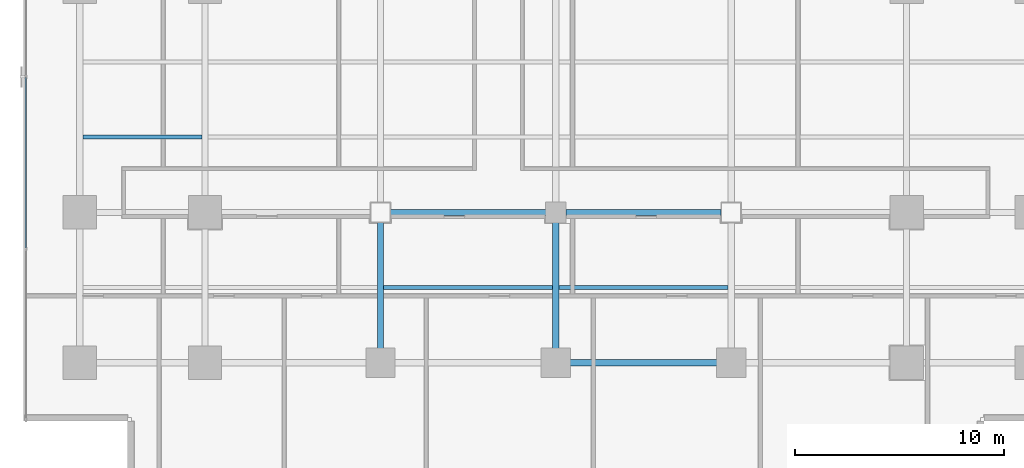
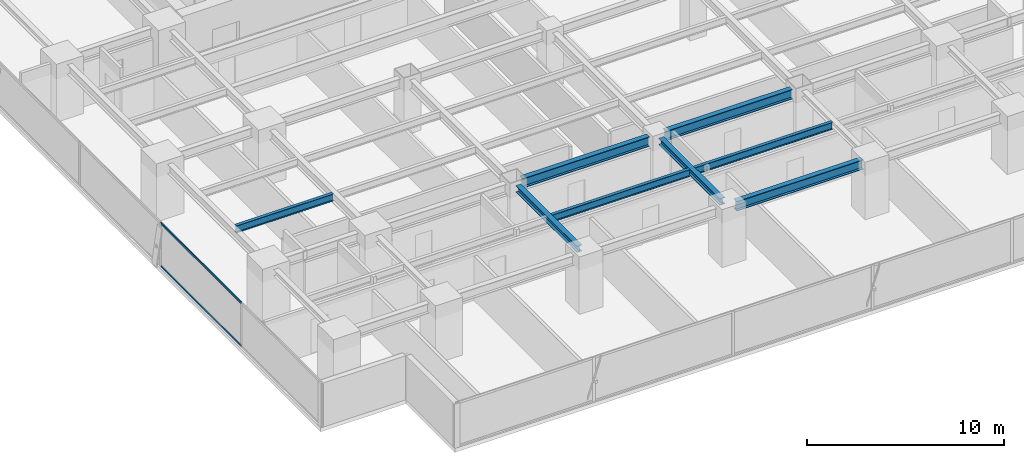
# One storey, part 7 of 36: 8 beams, 2 members, 1 element without a shape of its own.
"""IFC4 building model written with IfcOpenShell, lengths in metres."""

from ifc_helpers import new_model, si_unit, direction, frame, origin, origin_2d, place, context, subcontext, project, spatial, hollow_rectangle, i_section, extrude, source, transform, mapped, material, layer, layer_set, material_profile, profile_set, type_object, element, aggregate, save


model = new_model("IFC4")

# Units and contexts
model_context = context("Model", 3, precision=1e-05, world=origin(), true_north=direction((0.0, 1.0)))
body_context = subcontext(model_context, "Body", "Model", "MODEL_VIEW")
ifc_project = project(units=[si_unit("LENGTHUNIT", "METRE"), si_unit("AREAUNIT", "SQUARE_METRE"), si_unit("VOLUMEUNIT", "CUBIC_METRE"), si_unit("PLANEANGLEUNIT", "RADIAN"), si_unit("MASSUNIT", "GRAM", prefix="KILO")], contexts=[model_context])

# Site, building, storey
site_placement = place(None, origin())
site = spatial("IfcSite", under=ifc_project, at=site_placement, CompositionType="ELEMENT")
building_placement = place(site_placement, origin())
building = spatial("IfcBuilding", under=site, at=building_placement, Name="Sumidabori Civic Tower", CompositionType="ELEMENT")
storey_placement = place(building_placement, frame((0.0, 0.0, 113.60009765625)))
storey = spatial("IfcBuildingStorey", under=building, at=storey_placement, Name="L29", CompositionType="ELEMENT", Elevation=113.60009765625)

# Beams
ifc_material_1 = material(Name="Steel SN490", Category="steel")
ifc_material_profile_1 = material_profile(ifc_material_1, i_section(OverallWidth=0.300048828125, OverallDepth=0.60009765625, WebThickness=0.015380859375, FlangeThickness=0.030029296875, at=origin_2d()), Name="HE 600 B")
ifc_profile_set_1 = profile_set([ifc_material_profile_1], Name="Steel SN490")
beam_type_1 = type_object("IfcBeamType", Name="BM-GIRD-600", PredefinedType="BEAM", material=ifc_profile_set_1)
shared_shape_1 = source(origin(), body_context, "Body", "SweptSolid", [
    extrude(i_section(OverallWidth=0.300048828125, OverallDepth=0.60009765625, WebThickness=0.015380859375, FlangeThickness=0.030029296875, at=origin_2d()), origin(), (0.0, 0.0, 1.0), 7.43994140625),
])
for number, where, z_axis, x_axis, name in (
    (1, (0.47998046875, -18.0, 3.059814453125), (1.0, 0.0, 0.0), (0.0, 1.0, 0.0), "Primary Girder L29 GX-04"),
    (2, (-7.919921875, -10.800048828125, 3.059814453125), (1.0, 0.0, 0.0), (0.0, 1.0, 0.0), "Primary Girder L29 GX-09"),
    (3, (0.47998046875, -10.800048828125, 3.059814453125), (1.0, 0.0, 0.0), (0.0, 1.0, 0.0), "Primary Girder L29 GX-10"),
):
    element("IfcBeam", number, at=place(storey_placement, frame(where, z_axis=z_axis, x_axis=x_axis)), inside=storey, type_object=beam_type_1, Name=name, PredefinedType="BEAM", context=body_context, shape_type="MappedRepresentation", body=[
        mapped(shared_shape_1, transform((0.0, 0.0, 0.0), x_axis=(1.0, 0.0, 0.0), y_axis=(0.0, 1.0, 0.0), z_axis=(0.0, 0.0, 1.0), scale=1.0)),
    ])
ifc_material_profile_2 = material_profile(ifc_material_1, i_section(OverallWidth=0.300048828125, OverallDepth=0.39990234375, WebThickness=0.013427734375, FlangeThickness=0.02392578125, at=origin_2d()), Name="HE 400 B")
ifc_profile_set_2 = profile_set([ifc_material_profile_2], Name="Steel SN490")
beam_type_2 = type_object("IfcBeamType", Name="BM-GIRD-400", PredefinedType="BEAM", material=ifc_profile_set_2)
shared_shape_2 = source(origin(), body_context, "Body", "SweptSolid", [
    extrude(i_section(OverallWidth=0.300048828125, OverallDepth=0.39990234375, WebThickness=0.013427734375, FlangeThickness=0.02392578125, at=origin_2d()), origin(), (0.0, 0.0, 1.0), 6.239990234375),
])
for number, where, z_axis, x_axis, name in (
    (4, (-8.39990234375, -17.52001953125, 3.159912109375), (0.0, 1.0, 0.0), (-1.0, 0.0, 0.0), "Primary Girder L29 GY-29"),
    (5, (0.0, -17.52001953125, 3.159912109375), (0.0, 1.0, 0.0), (-1.0, 0.0, 0.0), "Primary Girder L29 GY-31"),
):
    element("IfcBeam", number, at=place(storey_placement, frame(where, z_axis=z_axis, x_axis=x_axis)), inside=storey, type_object=beam_type_2, Name=name, PredefinedType="BEAM", context=body_context, shape_type="MappedRepresentation", body=[
        mapped(shared_shape_2, transform((0.0, 0.0, 0.0), x_axis=(1.0, 0.0, 0.0), y_axis=(0.0, 1.0, 0.0), z_axis=(0.0, 0.0, 1.0), scale=1.0)),
    ])
ifc_material_profile_3 = material_profile(ifc_material_1, i_section(OverallWidth=0.18994140625, OverallDepth=0.449951171875, WebThickness=0.009521484375, FlangeThickness=0.0146484375, at=origin_2d()), Name="IPE 450")
ifc_profile_set_3 = profile_set([ifc_material_profile_3], Name="Steel SN490")
beam_type_3 = type_object("IfcBeamType", Name="BM-JST-450", PredefinedType="JOIST", material=ifc_profile_set_3)
shared_shape_3 = source(origin(), body_context, "Body", "SweptSolid", [
    extrude(i_section(OverallWidth=0.18994140625, OverallDepth=0.449951171875, WebThickness=0.009521484375, FlangeThickness=0.0146484375, at=origin_2d()), origin(), (0.0, 0.0, 1.0), 5.699951171875),
])
beam_placement = place(storey_placement, frame((-22.64990234375, -7.199951171875, 3.135009765625), z_axis=(1.0, 0.0, 0.0), x_axis=(0.0, 1.0, 0.0)))
element("IfcBeam", 6, at=beam_placement, inside=storey, type_object=beam_type_3, Name="Outer Bay Floor Joist L29 JSTO-43", PredefinedType="JOIST", context=body_context, shape_type="MappedRepresentation", body=[
    mapped(shared_shape_3, transform((0.0, 0.0, 0.0), x_axis=(1.0, 0.0, 0.0), y_axis=(0.0, 1.0, 0.0), z_axis=(0.0, 0.0, 1.0), scale=1.0)),
])
shared_shape_4 = source(origin(), body_context, "Body", "SweptSolid", [
    extrude(i_section(OverallWidth=0.18994140625, OverallDepth=0.449951171875, WebThickness=0.009521484375, FlangeThickness=0.0146484375, at=origin_2d()), origin(), (0.0, 0.0, 1.0), 8.10009765625),
])
for number, where, z_axis, x_axis, name in (
    (7, (-8.25, -14.39990234375, 3.135009765625), (1.0, 0.0, 0.0), (0.0, 1.0, 0.0), "South Bay Floor Joist L29 JSTS-56"),
    (8, (0.14990234375, -14.39990234375, 3.135009765625), (1.0, 0.0, 0.0), (0.0, 1.0, 0.0), "South Bay Floor Joist L29 JSTS-57"),
):
    element("IfcBeam", number, at=place(storey_placement, frame(where, z_axis=z_axis, x_axis=x_axis)), inside=storey, type_object=beam_type_3, Name=name, PredefinedType="JOIST", context=body_context, shape_type="MappedRepresentation", body=[
        mapped(shared_shape_4, transform((0.0, 0.0, 0.0), x_axis=(1.0, 0.0, 0.0), y_axis=(0.0, 1.0, 0.0), z_axis=(0.0, 0.0, 1.0), scale=1.0)),
    ])

# Curtain wall, members
ifc_material_2 = material(Name="Anodised Bronze Aluminium AW-6063-T6", Category="aluminium")
ifc_layer = layer(ifc_material_2, 0.179931640625, Name="Anodised Bronze Aluminium AW-6063-T6")
ifc_layer_set = layer_set([ifc_layer], Name="Anodised Bronze Aluminium AW-6063-T6")
curtain_wall_type = type_object("IfcCurtainWallType", Name="CW-SYS-3", PredefinedType="NOTDEFINED", material=ifc_layer_set)
curtain_wall_placement = place(storey_placement, origin())
curtain_wall = element("IfcCurtainWall", 9, at=curtain_wall_placement, inside=storey, type_object=curtain_wall_type, Name="Curtain Wall CW:L29:R10", PredefinedType="NOTDEFINED")
ifc_material_profile_4 = material_profile(ifc_material_2, hollow_rectangle(XDim=0.06005859375, YDim=0.1298828125, WallThickness=0.0048828125, at=origin_2d()), Name="ALU TRANSOM 130x60")
ifc_profile_set_4 = profile_set([ifc_material_profile_4], Name="Anodised Bronze Aluminium AW-6063-T6")
member_type = type_object("IfcMemberType", Name="CW-TRN-130", PredefinedType="USERDEFINED", material=ifc_profile_set_4)
shared_shape_5 = source(origin(), body_context, "Body", "SweptSolid", [
    extrude(hollow_rectangle(XDim=0.06005859375, YDim=0.1298828125, WallThickness=0.0048828125, at=origin_2d()), origin(), (0.0, 0.0, 1.0), 8.1630859375),
])
member_1_placement = place(storey_placement, frame((-25.3798828125, -4.346435546875, 0.02978515625), z_axis=(0.0, -1.0, 0.0), x_axis=(1.0, 0.0, 0.0)))
member_1 = element("IfcMember", 10, at=member_1_placement, type_object=member_type, Name="CW-3 transom 4.1", ObjectType="TRANSOM", PredefinedType="USERDEFINED", context=body_context, shape_type="MappedRepresentation", body=[
    mapped(shared_shape_5, transform((0.0, 0.0, 0.0), x_axis=(1.0, 0.0, 0.0), y_axis=(0.0, 1.0, 0.0), z_axis=(0.0, 0.0, 1.0), scale=1.0)),
])
member_2_placement = place(storey_placement, frame((-25.3798828125, -4.346435546875, 2.7099609375), z_axis=(0.0, -1.0, 0.0), x_axis=(1.0, 0.0, 0.0)))
member_2 = element("IfcMember", 11, at=member_2_placement, type_object=member_type, Name="CW-3 transom 4.2", ObjectType="TRANSOM", PredefinedType="USERDEFINED", context=body_context, shape_type="MappedRepresentation", body=[
    mapped(shared_shape_5, transform((0.0, 0.0, 0.0), x_axis=(1.0, 0.0, 0.0), y_axis=(0.0, 1.0, 0.0), z_axis=(0.0, 0.0, 1.0), scale=1.0)),
])
aggregate(curtain_wall, [member_1, member_2])

save(model, "model.ifc")
